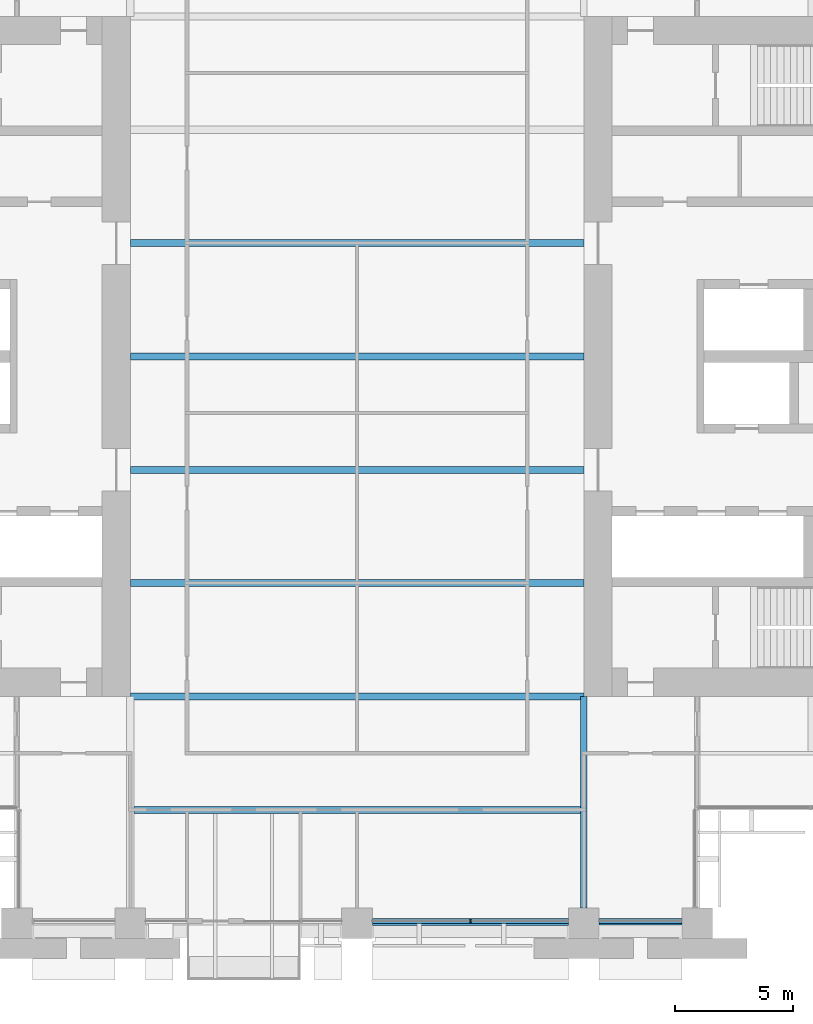
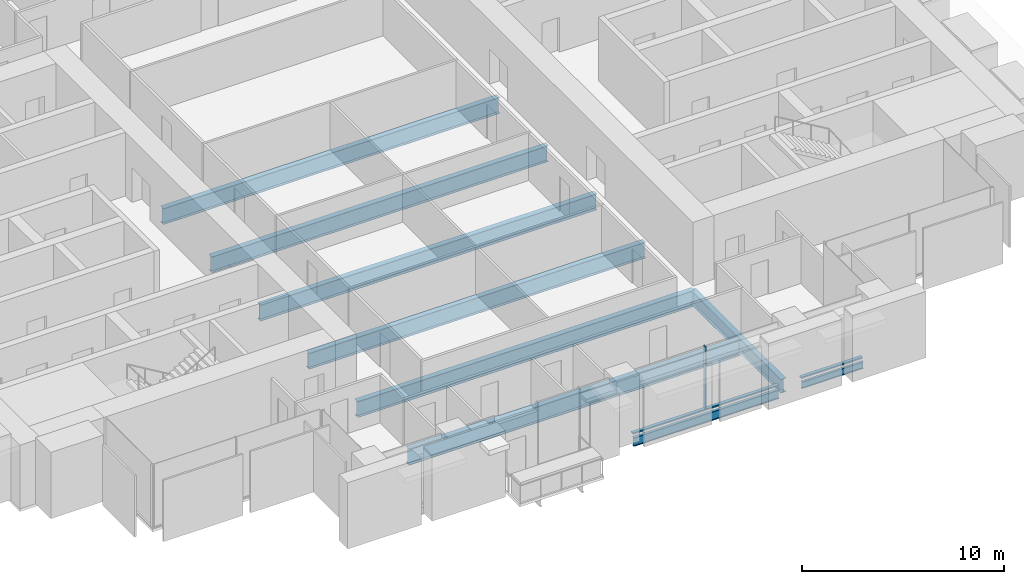
# One storey, part 3 of 15: 9 beams, 3 members, 1 element without a shape of its own.
"""IFC4 building model written with IfcOpenShell, lengths in metres."""

from ifc_helpers import new_model, si_unit, direction, frame, origin, origin_2d, place, context, subcontext, project, spatial, rectangle, i_section, extrude, material, material_profile, profile_set, type_object, element, aggregate, save


model = new_model("IFC4")

# Units and contexts
model_context = context("Model", 3, precision=1e-05, world=origin(), true_north=direction((0.0, 1.0)))
body_context = subcontext(model_context, "Body", "Model", "MODEL_VIEW")
ifc_project = project(units=[si_unit("LENGTHUNIT", "METRE"), si_unit("AREAUNIT", "SQUARE_METRE"), si_unit("VOLUMEUNIT", "CUBIC_METRE"), si_unit("PLANEANGLEUNIT", "RADIAN"), si_unit("MASSUNIT", "GRAM", prefix="KILO")], contexts=[model_context])

# Site, building, storey
site_placement = place(None, origin())
site = spatial("IfcSite", under=ifc_project, at=site_placement, CompositionType="ELEMENT")
building_placement = place(site_placement, origin())
building = spatial("IfcBuilding", under=site, at=building_placement, Name="Baori Bourse Tower", CompositionType="ELEMENT")
storey_placement = place(building_placement, frame((0.0, 0.0, 71.0)))
storey = spatial("IfcBuildingStorey", under=building, at=storey_placement, Name="L15", CompositionType="ELEMENT", Elevation=71.0)

# Curtain wall, members
ifc_material_1 = material(Name="Pale anodised aluminium", Category="aluminium")
curtain_wall_type = type_object("IfcCurtainWallType", Name="CW1 Curtain wall", PredefinedType="NOTDEFINED", material=ifc_material_1)
curtain_wall_placement = place(storey_placement, origin())
curtain_wall = element("IfcCurtainWall", 1, at=curtain_wall_placement, inside=storey, type_object=curtain_wall_type, Name="Curtain wall CW1 L15 15", PredefinedType="NOTDEFINED")
ifc_material_2 = material(Name="Pale anodised aluminium", Category="aluminium")
ifc_material_profile_1 = material_profile(ifc_material_2, rectangle(XDim=0.199951171875, YDim=0.06005859375, at=origin_2d()), Name="Mullion 60x200")
ifc_profile_set_1 = profile_set([ifc_material_profile_1], Name="Pale anodised aluminium")
member_type_1 = type_object("IfcMemberType", Name="CW1 Curtain wall mullion", PredefinedType="MULLION", material=ifc_profile_set_1)
member_1_placement = place(storey_placement, frame((33.60009765625, 0.10009765625, 0.080078125), z_axis=(0.0, 0.0, 1.0), x_axis=(0.0, 1.0, 0.0)))
member_1 = element("IfcMember", 2, at=member_1_placement, type_object=member_type_1, Name="Curtain wall CW1 mullion", PredefinedType="MULLION", context=body_context, shape_type="SweptSolid", body=[
    extrude(rectangle(XDim=0.199951171875, YDim=0.06005859375, at=origin_2d()), origin(), (0.0, 0.0, 1.0), 3.760009765625),
])
ifc_material_3 = material(Name="Pale anodised aluminium", Category="aluminium")
ifc_material_profile_2 = material_profile(ifc_material_3, rectangle(XDim=0.199951171875, YDim=0.080078125, at=origin_2d()), Name="Transom 80x200")
ifc_profile_set_2 = profile_set([ifc_material_profile_2], Name="Pale anodised aluminium")
member_type_2 = type_object("IfcMemberType", Name="CW1 Curtain wall transom", PredefinedType="USERDEFINED", material=ifc_profile_set_2)
member_2_placement = place(storey_placement, frame((29.449951171875, 0.10009765625, 0.0400390625), z_axis=(1.0, 0.0, 0.0), x_axis=(0.0, 1.0, 0.0)))
member_2 = element("IfcMember", 3, at=member_2_placement, type_object=member_type_2, Name="Curtain wall CW1 sill rail", ObjectType="TRANSOM", PredefinedType="USERDEFINED", context=body_context, shape_type="SweptSolid", body=[
    extrude(rectangle(XDim=0.199951171875, YDim=0.080078125, at=origin_2d()), origin(), (0.0, 0.0, 1.0), 8.300048828125),
])
member_3_placement = place(storey_placement, frame((39.050048828125, 0.10009765625, 0.0400390625), z_axis=(1.0, 0.0, 0.0), x_axis=(0.0, 1.0, 0.0)))
member_3 = element("IfcMember", 4, at=member_3_placement, type_object=member_type_2, Name="Curtain wall CW1 sill rail", ObjectType="TRANSOM", PredefinedType="USERDEFINED", context=body_context, shape_type="SweptSolid", body=[
    extrude(rectangle(XDim=0.199951171875, YDim=0.080078125, at=origin_2d()), origin(), (0.0, 0.0, 1.0), 3.5),
])
aggregate(curtain_wall, [member_2, member_1, member_3])

# Beams
ifc_material_4 = material(Name="Steel A992 Gr 50", Category="steel")
ifc_material_profile_3 = material_profile(ifc_material_4, i_section(OverallWidth=0.140380859375, OverallDepth=0.40380859375, WebThickness=0.007080078125, FlangeThickness=0.01123046875, at=origin_2d()), Name="W16x31")
ifc_profile_set_3 = profile_set([ifc_material_profile_3], Name="Steel A992 Gr 50")
beam_type_1 = type_object("IfcBeamType", Name="Edge beam W16x31", PredefinedType="BEAM", material=ifc_profile_set_3)
beam_1_placement = place(storey_placement, frame((39.050048828125, 0.0, -0.36181640625), z_axis=(1.0, 0.0, 0.0), x_axis=(0.0, 1.0, 0.0)))
element("IfcBeam", 5, at=beam_1_placement, inside=storey, type_object=beam_type_1, Name="Edge beam L15", PredefinedType="BEAM", context=body_context, shape_type="SweptSolid", body=[
    extrude(i_section(OverallWidth=0.140380859375, OverallDepth=0.40380859375, WebThickness=0.007080078125, FlangeThickness=0.01123046875, at=origin_2d()), origin(), (0.0, 0.0, 1.0), 3.5),
])
ifc_material_5 = material(Name="Steel A992 Gr 50", Category="steel")
ifc_material_profile_4 = material_profile(ifc_material_5, i_section(OverallWidth=0.1650390625, OverallDepth=0.52587890625, WebThickness=0.0087890625, FlangeThickness=0.011474609375, at=origin_2d()), Name="W21x44")
ifc_profile_set_4 = profile_set([ifc_material_profile_4], Name="Steel A992 Gr 50")
beam_type_2 = type_object("IfcBeamType", Name="Edge beam W21x44", PredefinedType="BEAM", material=ifc_profile_set_4)
beam_2_placement = place(storey_placement, frame((29.449951171875, 0.0, -0.4228515625), z_axis=(1.0, 0.0, 0.0), x_axis=(0.0, 1.0, 0.0)))
element("IfcBeam", 6, at=beam_2_placement, inside=storey, type_object=beam_type_2, Name="Edge beam L15", PredefinedType="BEAM", context=body_context, shape_type="SweptSolid", body=[
    extrude(i_section(OverallWidth=0.1650390625, OverallDepth=0.52587890625, WebThickness=0.0087890625, FlangeThickness=0.011474609375, at=origin_2d()), origin(), (0.0, 0.0, 1.0), 8.300048828125),
])
ifc_material_6 = material(Name="Steel A992 Gr 50", Category="steel")
ifc_material_profile_5 = material_profile(ifc_material_6, i_section(OverallWidth=0.2998046875, OverallDepth=0.97021484375, WebThickness=0.01611328125, FlangeThickness=0.02099609375, at=origin_2d()), Name="W40x149")
ifc_profile_set_5 = profile_set([ifc_material_profile_5], Name="Steel A992 Gr 50")
beam_type_3 = type_object("IfcBeamType", Name="Floor beam W40x149", PredefinedType="BEAM", material=ifc_profile_set_5)
for number, where, z_axis, x_axis, name in (
    (7, (19.199951171875, 9.60009765625, -0.64501953125), (1.0, 0.0, 0.0), (0.0, 1.0, 0.0), "Floor beam L15"),
    (8, (19.199951171875, 14.39990234375, -0.64501953125), (1.0, 0.0, 0.0), (0.0, 1.0, 0.0), "Floor beam L15"),
    (9, (19.199951171875, 19.199951171875, -0.64501953125), (1.0, 0.0, 0.0), (0.0, 1.0, 0.0), "Floor beam L15"),
    (10, (19.199951171875, 24.0, -0.64501953125), (1.0, 0.0, 0.0), (0.0, 1.0, 0.0), "Floor beam L15"),
    (11, (19.199951171875, 28.800048828125, -0.64501953125), (1.0, 0.0, 0.0), (0.0, 1.0, 0.0), "Floor beam L15"),
):
    element("IfcBeam", number, at=place(storey_placement, frame(where, z_axis=z_axis, x_axis=x_axis)), inside=storey, type_object=beam_type_3, Name=name, PredefinedType="BEAM", context=body_context, shape_type="SweptSolid", body=[
        extrude(i_section(OverallWidth=0.2998046875, OverallDepth=0.97021484375, WebThickness=0.01611328125, FlangeThickness=0.02099609375, at=origin_2d()), origin(), (0.0, 0.0, 1.0), 19.199951171875),
    ])
ifc_material_7 = material(Name="Steel A992 Gr 50", Category="steel")
ifc_material_profile_6 = material_profile(ifc_material_7, i_section(OverallWidth=0.2998046875, OverallDepth=0.990478515625, WebThickness=0.0166015625, FlangeThickness=0.030517578125, at=origin_2d()), Name="W40x183")
ifc_profile_set_6 = profile_set([ifc_material_profile_6], Name="Steel A992 Gr 50")
beam_type_4 = type_object("IfcBeamType", Name="Floor beam W40x183", PredefinedType="BEAM", material=ifc_profile_set_6)
beam_3_placement = place(storey_placement, frame((19.352294921875, 4.800048828125, -0.6552734375), z_axis=(1.0, 0.0, 0.0), x_axis=(0.0, 1.0, 0.0)))
element("IfcBeam", 12, at=beam_3_placement, inside=storey, type_object=beam_type_4, Name="Floor beam L15", PredefinedType="BEAM", context=body_context, shape_type="SweptSolid", body=[
    extrude(i_section(OverallWidth=0.2998046875, OverallDepth=0.990478515625, WebThickness=0.0166015625, FlangeThickness=0.030517578125, at=origin_2d()), origin(), (0.0, 0.0, 1.0), 18.901611328125),
])
ifc_material_8 = material(Name="Steel A992 Gr 50", Category="steel")
ifc_material_profile_7 = material_profile(ifc_material_8, i_section(OverallWidth=0.2919921875, OverallDepth=0.835693359375, WebThickness=0.013916015625, FlangeThickness=0.018798828125, at=origin_2d()), Name="W33x118")
ifc_profile_set_7 = profile_set([ifc_material_profile_7], Name="Steel A992 Gr 50")
beam_type_5 = type_object("IfcBeamType", Name="Girder W33x118", PredefinedType="BEAM", material=ifc_profile_set_7)
beam_4_placement = place(storey_placement, frame((38.39990234375, 0.64990234375, -0.577880859375), z_axis=(0.0, 1.0, 0.0), x_axis=(-1.0, 0.0, 0.0)))
element("IfcBeam", 13, at=beam_4_placement, inside=storey, type_object=beam_type_5, Name="Girder L15", PredefinedType="BEAM", context=body_context, shape_type="SweptSolid", body=[
    extrude(i_section(OverallWidth=0.2919921875, OverallDepth=0.835693359375, WebThickness=0.013916015625, FlangeThickness=0.018798828125, at=origin_2d()), origin(), (0.0, 0.0, 1.0), 8.9501953125),
])

save(model, "model.ifc")
